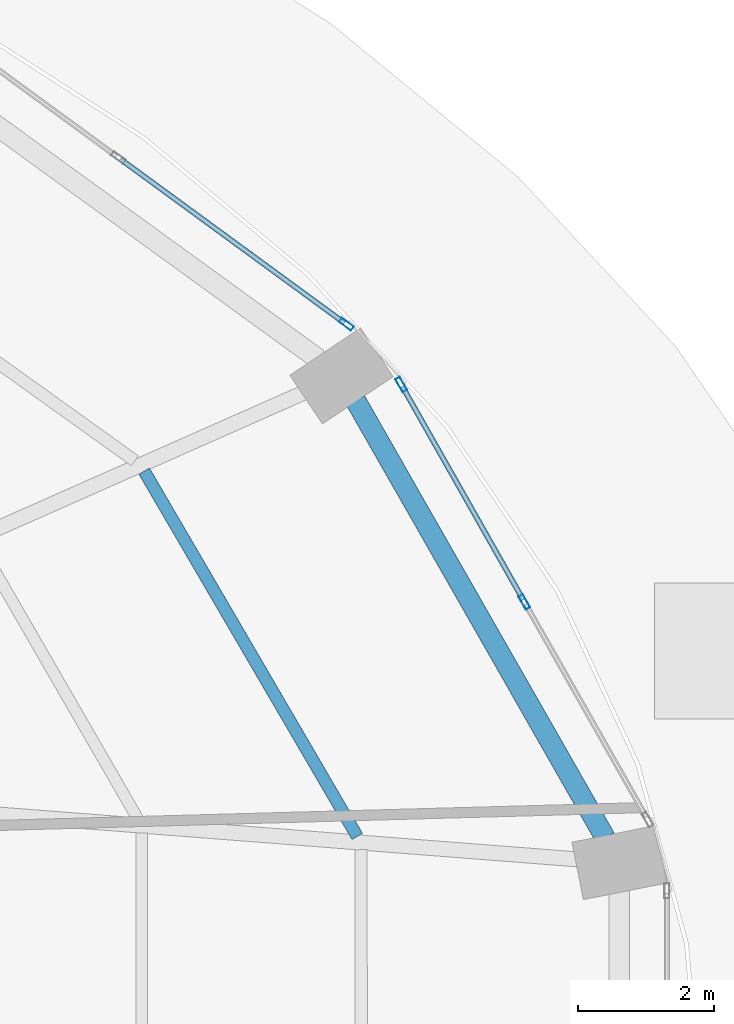
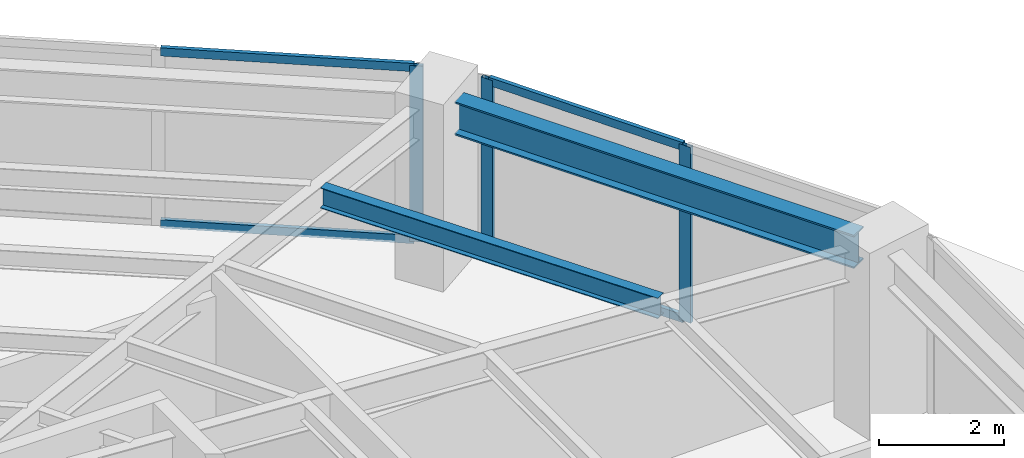
# One storey, part 18 of 25: 7 members, 2 beams, 2 elements without a shape of their own.
"""IFC4 building model written with IfcOpenShell, lengths in metres."""

from ifc_helpers import new_model, si_unit, direction, frame, origin, origin_2d, place, context, subcontext, project, spatial, hollow_rectangle, i_section, extrude, material, layer, layer_set, material_profile, profile_set, type_object, element, aggregate, save


model = new_model("IFC4")

# Units and contexts
model_context = context("Model", 3, precision=1e-05, world=origin(), true_north=direction((0.0, 1.0)))
body_context = subcontext(model_context, "Body", "Model", "MODEL_VIEW")
ifc_project = project(units=[si_unit("LENGTHUNIT", "METRE"), si_unit("AREAUNIT", "SQUARE_METRE"), si_unit("VOLUMEUNIT", "CUBIC_METRE"), si_unit("PLANEANGLEUNIT", "RADIAN"), si_unit("MASSUNIT", "GRAM", prefix="KILO")], contexts=[model_context])

# Site, building, storey
site_placement = place(None, origin())
site = spatial("IfcSite", under=ifc_project, at=site_placement, CompositionType="ELEMENT")
building_placement = place(site_placement, origin())
building = spatial("IfcBuilding", under=site, at=building_placement, Name="Lazwardi Medical Tower", CompositionType="ELEMENT")
storey_placement = place(building_placement, frame((0.0, 0.0, 25.199951171875)))
storey = spatial("IfcBuildingStorey", under=building, at=storey_placement, Name="L05", CompositionType="ELEMENT", Elevation=25.199951171875)

# Beams
ifc_material_1 = material(Name="Steel S355", Category="steel")
ifc_material_profile_1 = material_profile(ifc_material_1, i_section(OverallWidth=0.300048828125, OverallDepth=0.64990234375, WebThickness=0.01611328125, FlangeThickness=0.031005859375, at=origin_2d()), Name="HEB 650")
ifc_profile_set_1 = profile_set([ifc_material_profile_1], Name="Steel S355")
beam_type_1 = type_object("IfcBeamType", Name="BM-RB-Z1", PredefinedType="BEAM", material=ifc_profile_set_1)
beam_1_placement = place(storey_placement, frame((62.591796875, 34.63232421875, 3.10302734375), z_axis=(-0.49581512241, 0.868428099724, 0.0), x_axis=(-0.868428099724, -0.49581512241, 0.0)))
element("IfcBeam", 1, at=beam_1_placement, inside=storey, type_object=beam_type_1, Name="Ring beam RB-02 B05 L05", PredefinedType="BEAM", context=body_context, shape_type="SweptSolid", body=[
    extrude(i_section(OverallWidth=0.300048828125, OverallDepth=0.64990234375, WebThickness=0.01611328125, FlangeThickness=0.031005859375, at=origin_2d()), origin(), (0.0, 0.0, 1.0), 7.389404296875),
])
ifc_material_profile_2 = material_profile(ifc_material_1, i_section(OverallWidth=0.179931640625, OverallDepth=0.39990234375, WebThickness=0.008544921875, FlangeThickness=0.013427734375, at=origin_2d()), Name="IPE 400")
ifc_profile_set_2 = profile_set([ifc_material_profile_2], Name="Steel S355")
beam_type_2 = type_object("IfcBeamType", Name="BM-SJ-01", PredefinedType="JOIST", material=ifc_profile_set_2)
beam_2_placement = place(storey_placement, frame((58.951171875, 34.65234375, 3.22802734375), z_axis=(-0.503846579557, 0.863793160582, 0.0), x_axis=(-0.863793160582, -0.503846579557, 0.0)))
element("IfcBeam", 2, at=beam_2_placement, inside=storey, type_object=beam_type_2, Name="Secondary joist SJ-01 R1 B05 L05", PredefinedType="JOIST", context=body_context, shape_type="SweptSolid", body=[
    extrude(i_section(OverallWidth=0.179931640625, OverallDepth=0.39990234375, WebThickness=0.008544921875, FlangeThickness=0.013427734375, at=origin_2d()), origin(), (0.0, 0.0, 1.0), 6.20947265625),
])

# Curtain wall, members
ifc_material_2 = material(Name="Anodised bronze aluminium and solar control glazing", Category="aluminium")
ifc_layer = layer(ifc_material_2, 0.199951171875)
ifc_layer_set = layer_set([ifc_layer], Name="Anodised bronze aluminium and solar control glazing")
curtain_wall_type = type_object("IfcCurtainWallType", Name="CW-SYS-02", PredefinedType="NOTDEFINED", material=ifc_layer_set)
curtain_wall_1_placement = place(storey_placement, origin())
curtain_wall_1 = element("IfcCurtainWall", 3, at=curtain_wall_1_placement, inside=storey, type_object=curtain_wall_type, Name="L05 Unitised bronze curtain wall CW-02", PredefinedType="NOTDEFINED")
ifc_material_3 = material(Name="Anodised bronze aluminium", Category="aluminium")
ifc_material_profile_3 = material_profile(ifc_material_3, hollow_rectangle(XDim=0.074951171875, YDim=0.219970703125, WallThickness=0.00390625, at=origin_2d()), Name="ALU-MULLION 220x75x4")
ifc_profile_set_3 = profile_set([ifc_material_profile_3], Name="Anodised bronze aluminium")
member_type_1 = type_object("IfcMemberType", Name="CW-MUL-01", PredefinedType="MULLION", material=ifc_profile_set_3)
member_1_placement = place(storey_placement, frame((61.4052734375, 38.095458984375, 0.0), z_axis=(0.0, 0.0, 1.0), x_axis=(-0.870111838823, -0.492854327303, 0.0)))
member_1 = element("IfcMember", 4, at=member_1_placement, type_object=member_type_1, Name="CW-02 mullion 2", PredefinedType="MULLION", context=body_context, shape_type="SweptSolid", body=[
    extrude(hollow_rectangle(XDim=0.074951171875, YDim=0.219970703125, WallThickness=0.00390625, at=origin_2d()), origin(), (0.0, 0.0, 1.0), 3.427978515625),
])
member_2_placement = place(storey_placement, frame((59.5966796875, 41.28857421875, 0.0), z_axis=(0.0, 0.0, 1.0), x_axis=(-0.870111838823, -0.492854327303, 0.0)))
member_2 = element("IfcMember", 5, at=member_2_placement, type_object=member_type_1, Name="CW-02 mullion 3", PredefinedType="MULLION", context=body_context, shape_type="SweptSolid", body=[
    extrude(hollow_rectangle(XDim=0.074951171875, YDim=0.219970703125, WallThickness=0.00390625, at=origin_2d()), origin(), (0.0, 0.0, 1.0), 3.427978515625),
])

# Curtain wall, member
curtain_wall_2_placement = place(storey_placement, origin())
curtain_wall_2 = element("IfcCurtainWall", 6, at=curtain_wall_2_placement, inside=storey, type_object=curtain_wall_type, Name="L05 Unitised bronze curtain wall CW-02", PredefinedType="NOTDEFINED")
member_3_placement = place(storey_placement, frame((58.790283203125, 42.172607421875, 0.0), z_axis=(0.0, 0.0, 1.0), x_axis=(-0.590289307341, -0.807191757663, 0.0)))
member_3 = element("IfcMember", 7, at=member_3_placement, type_object=member_type_1, Name="CW-02 mullion 1", PredefinedType="MULLION", context=body_context, shape_type="SweptSolid", body=[
    extrude(hollow_rectangle(XDim=0.074951171875, YDim=0.219970703125, WallThickness=0.00390625, at=origin_2d()), origin(), (0.0, 0.0, 1.0), 3.427978515625),
])

# Member
ifc_material_profile_4 = material_profile(ifc_material_3, hollow_rectangle(XDim=0.074951171875, YDim=0.159912109375, WallThickness=0.00390625, at=origin_2d()), Name="ALU-TRANSOM 160x75x4")
ifc_profile_set_4 = profile_set([ifc_material_profile_4], Name="Anodised bronze aluminium")
member_type_2 = type_object("IfcMemberType", Name="CW-TRN-01", PredefinedType="USERDEFINED", material=ifc_profile_set_4)
member_4_placement = place(storey_placement, frame((61.386962890625, 38.128173828125, 0.03759765625), z_axis=(-0.492880614687, 0.870096948429, 0.0), x_axis=(-0.870096948429, -0.492880614687, 0.0)))
member_4 = element("IfcMember", 8, at=member_4_placement, type_object=member_type_2, Name="CW-02 transom 2.1", ObjectType="TRANSOM", PredefinedType="USERDEFINED", context=body_context, shape_type="SweptSolid", body=[
    extrude(hollow_rectangle(XDim=0.074951171875, YDim=0.159912109375, WallThickness=0.00390625, at=origin_2d()), origin(), (0.0, 0.0, 1.0), 3.5947265625),
])

member_5_placement = place(storey_placement, frame((61.386962890625, 38.128173828125, 3.390625), z_axis=(-0.492880614687, 0.870096948429, 0.0), x_axis=(-0.870096948429, -0.492880614687, 0.0)))
member_5 = element("IfcMember", 9, at=member_5_placement, type_object=member_type_2, Name="CW-02 transom 2.2", ObjectType="TRANSOM", PredefinedType="USERDEFINED", context=body_context, shape_type="SweptSolid", body=[
    extrude(hollow_rectangle(XDim=0.074951171875, YDim=0.159912109375, WallThickness=0.00390625, at=origin_2d()), origin(), (0.0, 0.0, 1.0), 3.5947265625),
])

aggregate(curtain_wall_1, [member_1, member_2, member_4, member_5])

member_6_placement = place(storey_placement, frame((58.760009765625, 42.194580078125, 0.03759765625), z_axis=(-0.807189956199, 0.590291770748, 0.0), x_axis=(-0.590291770748, -0.807189956199, 0.0)))
member_6 = element("IfcMember", 10, at=member_6_placement, type_object=member_type_2, Name="CW-02 transom 1.1", ObjectType="TRANSOM", PredefinedType="USERDEFINED", context=body_context, shape_type="SweptSolid", body=[
    extrude(hollow_rectangle(XDim=0.074951171875, YDim=0.159912109375, WallThickness=0.00390625, at=origin_2d()), origin(), (0.0, 0.0, 1.0), 4.070068359375),
])

member_7_placement = place(storey_placement, frame((58.760009765625, 42.194580078125, 3.390625), z_axis=(-0.807189956199, 0.590291770748, 0.0), x_axis=(-0.590291770748, -0.807189956199, 0.0)))
member_7 = element("IfcMember", 11, at=member_7_placement, type_object=member_type_2, Name="CW-02 transom 1.2", ObjectType="TRANSOM", PredefinedType="USERDEFINED", context=body_context, shape_type="SweptSolid", body=[
    extrude(hollow_rectangle(XDim=0.074951171875, YDim=0.159912109375, WallThickness=0.00390625, at=origin_2d()), origin(), (0.0, 0.0, 1.0), 4.070068359375),
])

aggregate(curtain_wall_2, [member_3, member_6, member_7])

save(model, "model.ifc")
